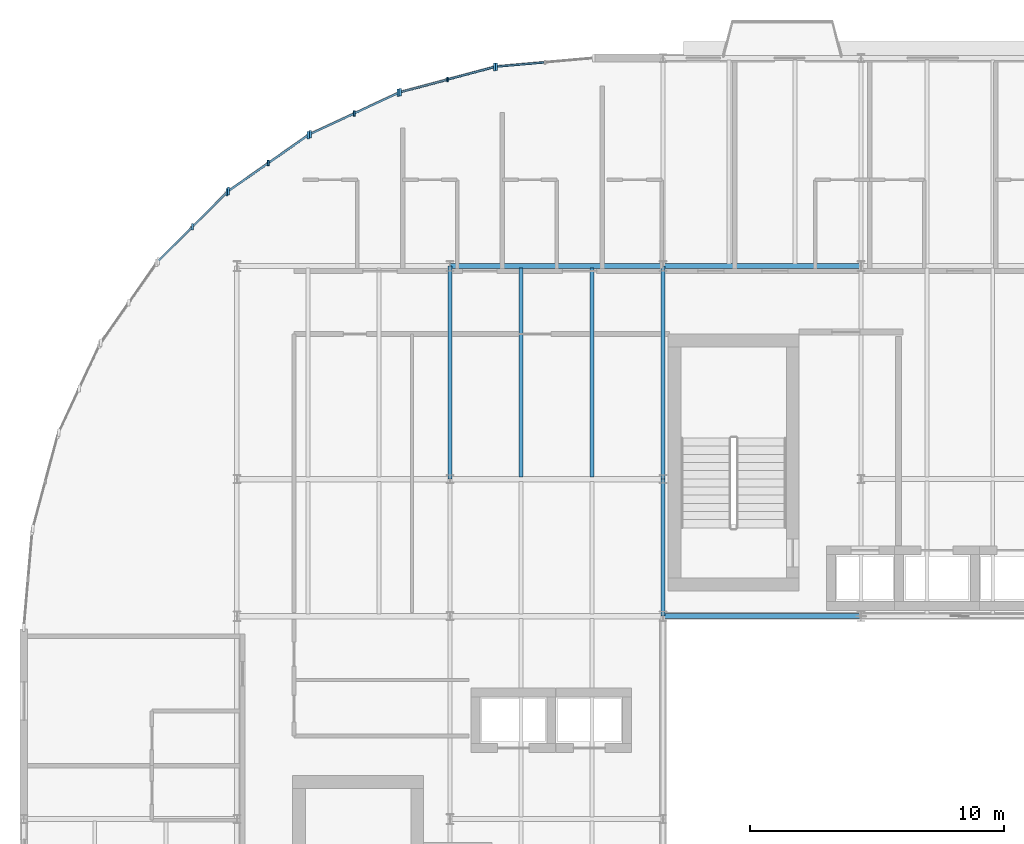
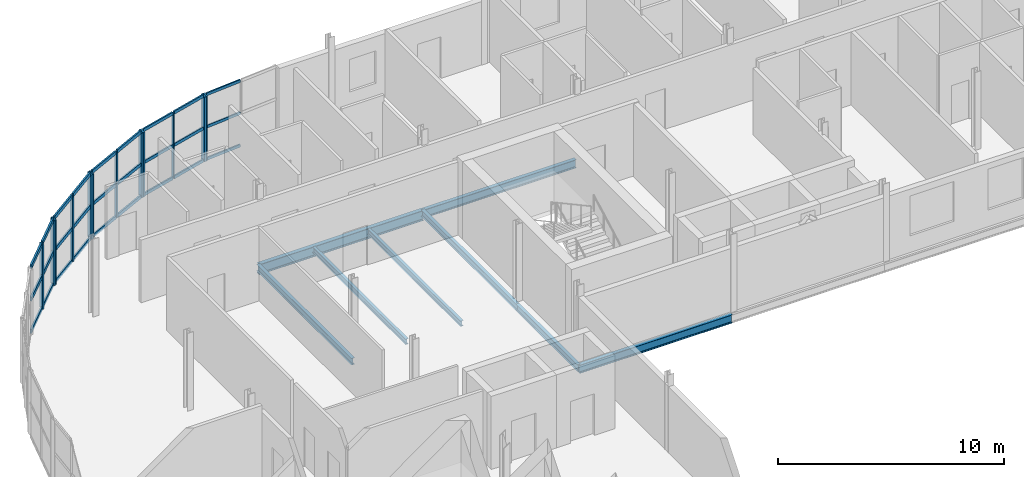
# One storey, part 6 of 22: 39 members, 8 beams, 5 elements without a shape of their own.
"""IFC4 building model written with IfcOpenShell, lengths in metres."""

from ifc_helpers import new_model, si_unit, direction, frame, origin, origin_2d, place, context, subcontext, project, spatial, rectangle, i_section, extrude, material, layer, layer_set, material_profile, profile_set, type_object, element, aggregate, save


model = new_model("IFC4")

# Units and contexts
model_context = context("Model", 3, precision=1e-05, world=origin(), true_north=direction((0.0, 1.0)))
body_context = subcontext(model_context, "Body", "Model", "MODEL_VIEW")
ifc_project = project(units=[si_unit("LENGTHUNIT", "METRE"), si_unit("AREAUNIT", "SQUARE_METRE"), si_unit("VOLUMEUNIT", "CUBIC_METRE"), si_unit("PLANEANGLEUNIT", "RADIAN"), si_unit("MASSUNIT", "GRAM", prefix="KILO")], contexts=[model_context])

# Site, building, storey
site_placement = place(None, origin())
site = spatial("IfcSite", under=ifc_project, at=site_placement, CompositionType="ELEMENT")
building_placement = place(site_placement, origin())
building = spatial("IfcBuilding", under=site, at=building_placement, Name="Sefraquen Railside Congress Hotel", CompositionType="ELEMENT")
storey_placement = place(building_placement, frame((0.0, 0.0, 42.60009765625)))
storey = spatial("IfcBuildingStorey", under=building, at=storey_placement, Name="L10", CompositionType="ELEMENT", Elevation=42.60009765625)

# Beams
ifc_material_1 = material(Name="Steel S355JR", Category="steel")
ifc_material_profile_1 = material_profile(ifc_material_1, i_section(OverallWidth=0.169921875, OverallDepth=0.360107421875, WebThickness=0.008056640625, FlangeThickness=0.0126953125, FilletRadius=0.01806640625, at=origin_2d()), Name="IPE 360")
ifc_profile_set_1 = profile_set([ifc_material_profile_1], Name="Steel S355JR")
beam_type_1 = type_object("IfcBeamType", Name="TB-BM-360", PredefinedType="BEAM", material=ifc_profile_set_1)
beam_1_placement = place(storey_placement, frame((16.800048828125, 101.39990234375, -0.400146484375), z_axis=(0.0, 1.0, 0.0), x_axis=(-1.0, 0.0, 0.0)))
element("IfcBeam", 1, at=beam_1_placement, inside=storey, type_object=beam_type_1, Name="Floor beam BM-L10-2114", PredefinedType="BEAM", context=body_context, shape_type="SweptSolid", body=[
    extrude(i_section(OverallWidth=0.169921875, OverallDepth=0.360107421875, WebThickness=0.008056640625, FlangeThickness=0.0126953125, FilletRadius=0.01806640625, at=origin_2d()), origin(), (0.0, 0.0, 1.0), 8.400146484375),
])
beam_2_placement = place(storey_placement, frame((25.199951171875, 96.0, -0.400146484375), z_axis=(0.0, 1.0, 0.0), x_axis=(-1.0, 0.0, 0.0)))
element("IfcBeam", 2, at=beam_2_placement, inside=storey, type_object=beam_type_1, Name="Floor beam BM-L10-2119", PredefinedType="BEAM", context=body_context, shape_type="SweptSolid", body=[
    extrude(i_section(OverallWidth=0.169921875, OverallDepth=0.360107421875, WebThickness=0.008056640625, FlangeThickness=0.0126953125, FilletRadius=0.01806640625, at=origin_2d()), origin(), (0.0, 0.0, 1.0), 5.39990234375),
])
beam_3_placement = place(storey_placement, frame((25.199951171875, 101.39990234375, -0.400146484375), z_axis=(0.0, 1.0, 0.0), x_axis=(-1.0, 0.0, 0.0)))
element("IfcBeam", 3, at=beam_3_placement, inside=storey, type_object=beam_type_1, Name="Floor beam BM-L10-2120", PredefinedType="BEAM", context=body_context, shape_type="SweptSolid", body=[
    extrude(i_section(OverallWidth=0.169921875, OverallDepth=0.360107421875, WebThickness=0.008056640625, FlangeThickness=0.0126953125, FilletRadius=0.01806640625, at=origin_2d()), origin(), (0.0, 0.0, 1.0), 8.400146484375),
])
ifc_material_profile_2 = material_profile(ifc_material_1, i_section(OverallWidth=0.18994140625, OverallDepth=0.449951171875, WebThickness=0.009521484375, FlangeThickness=0.0146484375, FilletRadius=0.02099609375, at=origin_2d()), Name="IPE 450")
ifc_profile_set_2 = profile_set([ifc_material_profile_2], Name="Steel S355JR")
beam_type_2 = type_object("IfcBeamType", Name="TB-BM-450", PredefinedType="BEAM", material=ifc_profile_set_2)
for number, where, z_axis, x_axis, name in (
    (4, (25.199951171875, 96.0, -0.445068359375), (1.0, 0.0, 0.0), (0.0, 1.0, 0.0), "Primary girder BM-L10-2062"),
    (5, (25.199951171875, 109.800048828125, -0.445068359375), (1.0, 0.0, 0.0), (0.0, 1.0, 0.0), "Primary girder BM-L10-2082"),
):
    element("IfcBeam", number, at=place(storey_placement, frame(where, z_axis=z_axis, x_axis=x_axis)), inside=storey, type_object=beam_type_2, Name=name, PredefinedType="BEAM", context=body_context, shape_type="SweptSolid", body=[
        extrude(i_section(OverallWidth=0.18994140625, OverallDepth=0.449951171875, WebThickness=0.009521484375, FlangeThickness=0.0146484375, FilletRadius=0.02099609375, at=origin_2d()), origin(), (0.0, 0.0, 1.0), 7.800048828125),
    ])
ifc_material_profile_3 = material_profile(ifc_material_1, i_section(OverallWidth=0.2099609375, OverallDepth=0.550048828125, WebThickness=0.010986328125, FlangeThickness=0.01708984375, FilletRadius=0.02392578125, at=origin_2d()), Name="IPE 550")
ifc_profile_set_3 = profile_set([ifc_material_profile_3], Name="Steel S355JR")
beam_type_3 = type_object("IfcBeamType", Name="TB-GIR-550", PredefinedType="T_BEAM", material=ifc_profile_set_3)
beam_4_placement = place(storey_placement, frame((16.800048828125, 109.800048828125, -0.4951171875), z_axis=(1.0, 0.0, 0.0), x_axis=(0.0, 1.0, 0.0)))
element("IfcBeam", 6, at=beam_4_placement, inside=storey, type_object=beam_type_3, Name="Primary girder BM-L10-2081", PredefinedType="T_BEAM", context=body_context, shape_type="SweptSolid", body=[
    extrude(i_section(OverallWidth=0.2099609375, OverallDepth=0.550048828125, WebThickness=0.010986328125, FlangeThickness=0.01708984375, FilletRadius=0.02392578125, at=origin_2d()), origin(), (0.0, 0.0, 1.0), 8.39990234375),
])
ifc_material_profile_4 = material_profile(ifc_material_1, i_section(OverallWidth=0.14990234375, OverallDepth=0.300048828125, WebThickness=0.007080078125, FlangeThickness=0.0107421875, FilletRadius=0.014892578125, at=origin_2d()), Name="IPE 300")
ifc_profile_set_4 = profile_set([ifc_material_profile_4], Name="Steel S355JR")
beam_type_4 = type_object("IfcBeamType", Name="TB-JST-300", PredefinedType="JOIST", material=ifc_profile_set_4)
for number, where, z_axis, x_axis, name in (
    (7, (19.60009765625, 101.485107421875, -0.3701171875), (0.0, 1.0, 0.0), (-1.0, 0.0, 0.0), "Composite floor joist BM-L10-J1420"),
    (8, (22.39990234375, 101.485107421875, -0.3701171875), (0.0, 1.0, 0.0), (-1.0, 0.0, 0.0), "Composite floor joist BM-L10-J1421"),
):
    element("IfcBeam", number, at=place(storey_placement, frame(where, z_axis=z_axis, x_axis=x_axis)), inside=storey, type_object=beam_type_4, Name=name, PredefinedType="JOIST", context=body_context, shape_type="SweptSolid", body=[
        extrude(i_section(OverallWidth=0.14990234375, OverallDepth=0.300048828125, WebThickness=0.007080078125, FlangeThickness=0.0107421875, FilletRadius=0.014892578125, at=origin_2d()), origin(), (0.0, 0.0, 1.0), 8.22998046875),
    ])

# Curtain wall, member
ifc_material_2 = material(Name="Thermally broken anodised aluminium and low-E double glazing", Category="aluminium")
ifc_layer_1 = layer(ifc_material_2, 0.199951171875)
ifc_layer_set_1 = layer_set([ifc_layer_1], Name="Thermally broken anodised aluminium and low-E double glazing")
curtain_wall_type_1 = type_object("IfcCurtainWallType", Name="TCW-UCW-28", PredefinedType="USERDEFINED", material=ifc_layer_set_1)
curtain_wall_1_placement = place(storey_placement, origin())
curtain_wall_1 = element("IfcCurtainWall", 9, at=curtain_wall_1_placement, inside=storey, type_object=curtain_wall_type_1, Name="Rotunda L10 curved curtain wall facet 2", ObjectType="UNITISED CURTAIN WALL", PredefinedType="USERDEFINED")
ifc_material_3 = material(Name="Thermally broken anodised aluminium 6063-T6", Category="aluminium")
ifc_material_profile_5 = material_profile(ifc_material_3, rectangle(XDim=0.06494140625, YDim=0.179931640625, at=origin_2d()), Name="CWM 65x180")
ifc_profile_set_5 = profile_set([ifc_material_profile_5], Name="Thermally broken anodised aluminium 6063-T6")
member_type_1 = type_object("IfcMemberType", Name="TM-CWM-02", PredefinedType="MULLION", material=ifc_profile_set_5)
member_1_placement = place(storey_placement, frame((16.69873046875, 117.150634765625, 0.0), z_axis=(0.0, 0.0, 1.0), x_axis=(1.0, 0.0, 0.0)))
member_1 = element("IfcMember", 10, at=member_1_placement, type_object=member_type_1, Name="CW-L10-ROT-02 mullion 2", PredefinedType="MULLION", context=body_context, shape_type="SweptSolid", body=[
    extrude(rectangle(XDim=0.06494140625, YDim=0.179931640625, at=origin_2d()), origin(), (0.0, 0.0, 1.0), 3.489990234375),
])

ifc_layer_2 = layer(ifc_material_2, 0.199951171875)
ifc_layer_set_2 = layer_set([ifc_layer_2], Name="Thermally broken anodised aluminium and low-E double glazing")
curtain_wall_type_2 = type_object("IfcCurtainWallType", Name="TCW-UCW-29", PredefinedType="USERDEFINED", material=ifc_layer_set_2)
curtain_wall_2_placement = place(storey_placement, origin())
curtain_wall_2 = element("IfcCurtainWall", 11, at=curtain_wall_2_placement, inside=storey, type_object=curtain_wall_type_2, Name="Rotunda L10 curved curtain wall facet 3", ObjectType="UNITISED CURTAIN WALL", PredefinedType="USERDEFINED")
ifc_material_profile_6 = material_profile(ifc_material_3, rectangle(XDim=0.070068359375, YDim=0.199951171875, at=origin_2d()), Name="CWM 70x200")
ifc_profile_set_6 = profile_set([ifc_material_profile_6], Name="Thermally broken anodised aluminium 6063-T6")
member_type_2 = type_object("IfcMemberType", Name="TM-CWM-03", PredefinedType="MULLION", material=ifc_profile_set_6)
member_2_placement = place(storey_placement, frame((13.02734375, 115.814208984375, 0.0), z_axis=(0.0, 0.0, 1.0), x_axis=(1.0, 0.0, 0.0)))
member_2 = element("IfcMember", 12, at=member_2_placement, type_object=member_type_2, Name="CW-L10-ROT-03 mullion 2", PredefinedType="MULLION", context=body_context, shape_type="SweptSolid", body=[
    extrude(rectangle(XDim=0.070068359375, YDim=0.199951171875, at=origin_2d()), origin(), (0.0, 0.0, 1.0), 3.489990234375),
])

ifc_layer_3 = layer(ifc_material_2, 0.199951171875)
ifc_layer_set_3 = layer_set([ifc_layer_3], Name="Thermally broken anodised aluminium and low-E double glazing")
curtain_wall_type_3 = type_object("IfcCurtainWallType", Name="TCW-UCW-30", PredefinedType="USERDEFINED", material=ifc_layer_set_3)
curtain_wall_3_placement = place(storey_placement, origin())
curtain_wall_3 = element("IfcCurtainWall", 13, at=curtain_wall_3_placement, inside=storey, type_object=curtain_wall_type_3, Name="Rotunda L10 curved curtain wall facet 4", ObjectType="UNITISED CURTAIN WALL", PredefinedType="USERDEFINED")
ifc_material_profile_7 = material_profile(ifc_material_3, rectangle(XDim=0.074951171875, YDim=0.219970703125, at=origin_2d()), Name="CWM 75x220")
ifc_profile_set_7 = profile_set([ifc_material_profile_7], Name="Thermally broken anodised aluminium 6063-T6")
member_type_3 = type_object("IfcMemberType", Name="TM-CWM-04", PredefinedType="MULLION", material=ifc_profile_set_7)
member_3_placement = place(storey_placement, frame((9.643798828125, 113.86083984375, 0.0), z_axis=(0.0, 0.0, 1.0), x_axis=(1.0, 0.0, 0.0)))
member_3 = element("IfcMember", 14, at=member_3_placement, type_object=member_type_3, Name="CW-L10-ROT-04 mullion 2", PredefinedType="MULLION", context=body_context, shape_type="SweptSolid", body=[
    extrude(rectangle(XDim=0.074951171875, YDim=0.219970703125, at=origin_2d()), origin(), (0.0, 0.0, 1.0), 3.489990234375),
])

ifc_layer_4 = layer(ifc_material_2, 0.199951171875)
ifc_layer_set_4 = layer_set([ifc_layer_4], Name="Thermally broken anodised aluminium and low-E double glazing")
curtain_wall_type_4 = type_object("IfcCurtainWallType", Name="TCW-UCW-31", PredefinedType="USERDEFINED", material=ifc_layer_set_4)
curtain_wall_4_placement = place(storey_placement, origin())
curtain_wall_4 = element("IfcCurtainWall", 15, at=curtain_wall_4_placement, inside=storey, type_object=curtain_wall_type_4, Name="Rotunda L10 curved curtain wall facet 5", ObjectType="UNITISED CURTAIN WALL", PredefinedType="USERDEFINED")
ifc_material_profile_8 = material_profile(ifc_material_3, rectangle(XDim=0.080078125, YDim=0.239990234375, at=origin_2d()), Name="CWM 80x240")
ifc_profile_set_8 = profile_set([ifc_material_profile_8], Name="Thermally broken anodised aluminium 6063-T6")
member_type_4 = type_object("IfcMemberType", Name="TM-CWM-05", PredefinedType="MULLION", material=ifc_profile_set_8)
member_4_placement = place(storey_placement, frame((6.650634765625, 111.349365234375, 0.0), z_axis=(0.0, 0.0, 1.0), x_axis=(1.0, 0.0, 0.0)))
member_4 = element("IfcMember", 16, at=member_4_placement, type_object=member_type_4, Name="CW-L10-ROT-05 mullion 2", PredefinedType="MULLION", context=body_context, shape_type="SweptSolid", body=[
    extrude(rectangle(XDim=0.080078125, YDim=0.239990234375, at=origin_2d()), origin(), (0.0, 0.0, 1.0), 3.489990234375),
])

ifc_layer_5 = layer(ifc_material_2, 0.199951171875)
ifc_layer_set_5 = layer_set([ifc_layer_5], Name="Thermally broken anodised aluminium and low-E double glazing")
curtain_wall_type_5 = type_object("IfcCurtainWallType", Name="TCW-UCW-27", PredefinedType="USERDEFINED", material=ifc_layer_set_5)
curtain_wall_5_placement = place(storey_placement, origin())
curtain_wall_5 = element("IfcCurtainWall", 17, at=curtain_wall_5_placement, inside=storey, type_object=curtain_wall_type_5, Name="Rotunda L10 curved curtain wall facet 1", ObjectType="UNITISED CURTAIN WALL", PredefinedType="USERDEFINED")
ifc_material_profile_9 = material_profile(ifc_material_3, rectangle(XDim=0.094970703125, YDim=0.300048828125, at=origin_2d()), Name="CWM 95x300")
ifc_profile_set_9 = profile_set([ifc_material_profile_9], Name="Thermally broken anodised aluminium 6063-T6")
member_type_5 = type_object("IfcMemberType", Name="TM-CWM-08", PredefinedType="MULLION", material=ifc_profile_set_9)
member_5_placement = place(storey_placement, frame((18.6328125, 117.66162109375, 0.0), z_axis=(0.0, 0.0, 1.0), x_axis=(1.0, 0.0, 0.0)))
member_5 = element("IfcMember", 18, at=member_5_placement, type_object=member_type_5, Name="CW-L10-ROT-01 mullion 3", PredefinedType="MULLION", context=body_context, shape_type="SweptSolid", body=[
    extrude(rectangle(XDim=0.094970703125, YDim=0.300048828125, at=origin_2d()), origin(), (0.0, 0.0, 1.0), 3.489990234375),
])

# Member
member_6_placement = place(storey_placement, frame((18.55419921875, 117.647705078125, 0.0), z_axis=(0.0, 0.0, 1.0), x_axis=(1.0, 0.0, 0.0)))
member_6 = element("IfcMember", 19, at=member_6_placement, type_object=member_type_5, Name="CW-L10-ROT-02 mullion 1", PredefinedType="MULLION", context=body_context, shape_type="SweptSolid", body=[
    extrude(rectangle(XDim=0.094970703125, YDim=0.300048828125, at=origin_2d()), origin(), (0.0, 0.0, 1.0), 3.489990234375),
])

member_7_placement = place(storey_placement, frame((14.843017578125, 116.653564453125, 0.0), z_axis=(0.0, 0.0, 1.0), x_axis=(1.0, 0.0, 0.0)))
member_7 = element("IfcMember", 20, at=member_7_placement, type_object=member_type_5, Name="CW-L10-ROT-02 mullion 3", PredefinedType="MULLION", context=body_context, shape_type="SweptSolid", body=[
    extrude(rectangle(XDim=0.094970703125, YDim=0.300048828125, at=origin_2d()), origin(), (0.0, 0.0, 1.0), 3.489990234375),
])

member_8_placement = place(storey_placement, frame((14.768310546875, 116.626220703125, 0.0), z_axis=(0.0, 0.0, 1.0), x_axis=(1.0, 0.0, 0.0)))
member_8 = element("IfcMember", 21, at=member_8_placement, type_object=member_type_5, Name="CW-L10-ROT-03 mullion 1", PredefinedType="MULLION", context=body_context, shape_type="SweptSolid", body=[
    extrude(rectangle(XDim=0.094970703125, YDim=0.300048828125, at=origin_2d()), origin(), (0.0, 0.0, 1.0), 3.489990234375),
])

member_9_placement = place(storey_placement, frame((11.286376953125, 115.00244140625, 0.0), z_axis=(0.0, 0.0, 1.0), x_axis=(1.0, 0.0, 0.0)))
member_9 = element("IfcMember", 22, at=member_9_placement, type_object=member_type_5, Name="CW-L10-ROT-03 mullion 3", PredefinedType="MULLION", context=body_context, shape_type="SweptSolid", body=[
    extrude(rectangle(XDim=0.094970703125, YDim=0.300048828125, at=origin_2d()), origin(), (0.0, 0.0, 1.0), 3.489990234375),
])

member_10_placement = place(storey_placement, frame((11.21728515625, 114.962646484375, 0.0), z_axis=(0.0, 0.0, 1.0), x_axis=(1.0, 0.0, 0.0)))
member_10 = element("IfcMember", 23, at=member_10_placement, type_object=member_type_5, Name="CW-L10-ROT-04 mullion 1", PredefinedType="MULLION", context=body_context, shape_type="SweptSolid", body=[
    extrude(rectangle(XDim=0.094970703125, YDim=0.300048828125, at=origin_2d()), origin(), (0.0, 0.0, 1.0), 3.489990234375),
])

member_11_placement = place(storey_placement, frame((8.070068359375, 112.7587890625, 0.0), z_axis=(0.0, 0.0, 1.0), x_axis=(1.0, 0.0, 0.0)))
member_11 = element("IfcMember", 24, at=member_11_placement, type_object=member_type_5, Name="CW-L10-ROT-04 mullion 3", PredefinedType="MULLION", context=body_context, shape_type="SweptSolid", body=[
    extrude(rectangle(XDim=0.094970703125, YDim=0.300048828125, at=origin_2d()), origin(), (0.0, 0.0, 1.0), 3.489990234375),
])

member_12_placement = place(storey_placement, frame((8.009033203125, 112.707763671875, 0.0), z_axis=(0.0, 0.0, 1.0), x_axis=(1.0, 0.0, 0.0)))
member_12 = element("IfcMember", 25, at=member_12_placement, type_object=member_type_5, Name="CW-L10-ROT-05 mullion 1", PredefinedType="MULLION", context=body_context, shape_type="SweptSolid", body=[
    extrude(rectangle(XDim=0.094970703125, YDim=0.300048828125, at=origin_2d()), origin(), (0.0, 0.0, 1.0), 3.489990234375),
])

ifc_material_profile_10 = material_profile(ifc_material_3, rectangle(XDim=0.070068359375, YDim=0.14990234375, at=origin_2d()), Name="CWT 70x150")
ifc_profile_set_10 = profile_set([ifc_material_profile_10], Name="Thermally broken anodised aluminium 6063-T6")
member_type_6 = type_object("IfcMemberType", Name="TM-CWT-03", PredefinedType="USERDEFINED", material=ifc_profile_set_10)
member_13_placement = place(storey_placement, frame((20.501708984375, 117.8251953125, 0.0), z_axis=(-0.996191401715, -0.087193412302, 0.0), x_axis=(0.087193412302, -0.996191401715, 0.0)))
member_13 = element("IfcMember", 26, at=member_13_placement, type_object=member_type_6, Name="CW-L10-ROT-01 transom 1.2", ObjectType="TRANSOM", PredefinedType="USERDEFINED", context=body_context, shape_type="SweptSolid", body=[
    extrude(rectangle(XDim=0.070068359375, YDim=0.14990234375, at=origin_2d()), origin(), (0.0, 0.0, 1.0), 1.831298828125),
])

member_14_placement = place(storey_placement, frame((20.501708984375, 117.8251953125, 1.744873046875), z_axis=(-0.996191401715, -0.087193412302, 0.0), x_axis=(0.087193412302, -0.996191401715, 0.0)))
member_14 = element("IfcMember", 27, at=member_14_placement, type_object=member_type_6, Name="CW-L10-ROT-01 transom 2.2", ObjectType="TRANSOM", PredefinedType="USERDEFINED", context=body_context, shape_type="SweptSolid", body=[
    extrude(rectangle(XDim=0.070068359375, YDim=0.14990234375, at=origin_2d()), origin(), (0.0, 0.0, 1.0), 1.831298828125),
])

member_15_placement = place(storey_placement, frame((20.501708984375, 117.8251953125, 3.489990234375), z_axis=(-0.996191401715, -0.087193412302, 0.0), x_axis=(0.087193412302, -0.996191401715, 0.0)))
member_15 = element("IfcMember", 28, at=member_15_placement, type_object=member_type_6, Name="CW-L10-ROT-01 transom 3.2", ObjectType="TRANSOM", PredefinedType="USERDEFINED", context=body_context, shape_type="SweptSolid", body=[
    extrude(rectangle(XDim=0.070068359375, YDim=0.14990234375, at=origin_2d()), origin(), (0.0, 0.0, 1.0), 1.831298828125),
])

aggregate(curtain_wall_5, [member_5, member_13, member_14, member_15])

ifc_material_profile_11 = material_profile(ifc_material_3, rectangle(XDim=0.074951171875, YDim=0.1650390625, at=origin_2d()), Name="CWT 75x165")
ifc_profile_set_11 = profile_set([ifc_material_profile_11], Name="Thermally broken anodised aluminium 6063-T6")
member_type_7 = type_object("IfcMemberType", Name="TM-CWT-04", PredefinedType="USERDEFINED", material=ifc_profile_set_11)
member_16_placement = place(storey_placement, frame((18.5107421875, 117.63623046875, 0.0), z_axis=(-0.965893282759, -0.25894046868, 0.0), x_axis=(0.25894046868, -0.965893282759, 0.0)))
member_16 = element("IfcMember", 29, at=member_16_placement, type_object=member_type_7, Name="CW-L10-ROT-02 transom 1.1", ObjectType="TRANSOM", PredefinedType="USERDEFINED", context=body_context, shape_type="SweptSolid", body=[
    extrude(rectangle(XDim=0.074951171875, YDim=0.1650390625, at=origin_2d()), origin(), (0.0, 0.0, 1.0), 1.8310546875),
])

member_17_placement = place(storey_placement, frame((16.6552734375, 117.138916015625, 0.0), z_axis=(-0.965926624666, -0.258816065499, 0.0), x_axis=(0.258816065499, -0.965926624666, 0.0)))
member_17 = element("IfcMember", 30, at=member_17_placement, type_object=member_type_7, Name="CW-L10-ROT-02 transom 1.2", ObjectType="TRANSOM", PredefinedType="USERDEFINED", context=body_context, shape_type="SweptSolid", body=[
    extrude(rectangle(XDim=0.074951171875, YDim=0.1650390625, at=origin_2d()), origin(), (0.0, 0.0, 1.0), 1.8310546875),
])

member_18_placement = place(storey_placement, frame((18.5107421875, 117.63623046875, 1.744873046875), z_axis=(-0.965893282759, -0.25894046868, 0.0), x_axis=(0.25894046868, -0.965893282759, 0.0)))
member_18 = element("IfcMember", 31, at=member_18_placement, type_object=member_type_7, Name="CW-L10-ROT-02 transom 2.1", ObjectType="TRANSOM", PredefinedType="USERDEFINED", context=body_context, shape_type="SweptSolid", body=[
    extrude(rectangle(XDim=0.074951171875, YDim=0.1650390625, at=origin_2d()), origin(), (0.0, 0.0, 1.0), 1.8310546875),
])

member_19_placement = place(storey_placement, frame((16.6552734375, 117.138916015625, 1.744873046875), z_axis=(-0.965926624666, -0.258816065499, 0.0), x_axis=(0.258816065499, -0.965926624666, 0.0)))
member_19 = element("IfcMember", 32, at=member_19_placement, type_object=member_type_7, Name="CW-L10-ROT-02 transom 2.2", ObjectType="TRANSOM", PredefinedType="USERDEFINED", context=body_context, shape_type="SweptSolid", body=[
    extrude(rectangle(XDim=0.074951171875, YDim=0.1650390625, at=origin_2d()), origin(), (0.0, 0.0, 1.0), 1.8310546875),
])

member_20_placement = place(storey_placement, frame((18.5107421875, 117.63623046875, 3.489990234375), z_axis=(-0.965893282759, -0.25894046868, 0.0), x_axis=(0.25894046868, -0.965893282759, 0.0)))
member_20 = element("IfcMember", 33, at=member_20_placement, type_object=member_type_7, Name="CW-L10-ROT-02 transom 3.1", ObjectType="TRANSOM", PredefinedType="USERDEFINED", context=body_context, shape_type="SweptSolid", body=[
    extrude(rectangle(XDim=0.074951171875, YDim=0.1650390625, at=origin_2d()), origin(), (0.0, 0.0, 1.0), 1.8310546875),
])

member_21_placement = place(storey_placement, frame((16.6552734375, 117.138916015625, 3.489990234375), z_axis=(-0.965926624666, -0.258816065499, 0.0), x_axis=(0.258816065499, -0.965926624666, 0.0)))
member_21 = element("IfcMember", 34, at=member_21_placement, type_object=member_type_7, Name="CW-L10-ROT-02 transom 3.2", ObjectType="TRANSOM", PredefinedType="USERDEFINED", context=body_context, shape_type="SweptSolid", body=[
    extrude(rectangle(XDim=0.074951171875, YDim=0.1650390625, at=origin_2d()), origin(), (0.0, 0.0, 1.0), 1.8310546875),
])

aggregate(curtain_wall_1, [member_6, member_1, member_7, member_16, member_17, member_18, member_19, member_20, member_21])

ifc_material_profile_12 = material_profile(ifc_material_3, rectangle(XDim=0.080078125, YDim=0.179931640625, at=origin_2d()), Name="CWT 80x180")
ifc_profile_set_12 = profile_set([ifc_material_profile_12], Name="Thermally broken anodised aluminium 6063-T6")
member_type_8 = type_object("IfcMemberType", Name="TM-CWT-05", PredefinedType="USERDEFINED", material=ifc_profile_set_12)
member_22_placement = place(storey_placement, frame((14.727294921875, 116.607177734375, 0.0), z_axis=(-0.906309158253, -0.422615321145, 0.0), x_axis=(0.422615321145, -0.906309158253, 0.0)))
member_22 = element("IfcMember", 35, at=member_22_placement, type_object=member_type_8, Name="CW-L10-ROT-03 transom 1.1", ObjectType="TRANSOM", PredefinedType="USERDEFINED", context=body_context, shape_type="SweptSolid", body=[
    extrude(rectangle(XDim=0.080078125, YDim=0.179931640625, at=origin_2d()), origin(), (0.0, 0.0, 1.0), 1.830810546875),
])

member_23_placement = place(storey_placement, frame((12.986572265625, 115.79541015625, 0.0), z_axis=(-0.906281900386, -0.422673771403, 0.0), x_axis=(0.422673771403, -0.906281900386, 0.0)))
member_23 = element("IfcMember", 36, at=member_23_placement, type_object=member_type_8, Name="CW-L10-ROT-03 transom 1.2", ObjectType="TRANSOM", PredefinedType="USERDEFINED", context=body_context, shape_type="SweptSolid", body=[
    extrude(rectangle(XDim=0.080078125, YDim=0.179931640625, at=origin_2d()), origin(), (0.0, 0.0, 1.0), 1.8310546875),
])

member_24_placement = place(storey_placement, frame((14.727294921875, 116.607177734375, 1.744873046875), z_axis=(-0.906309158253, -0.422615321145, 0.0), x_axis=(0.422615321145, -0.906309158253, 0.0)))
member_24 = element("IfcMember", 37, at=member_24_placement, type_object=member_type_8, Name="CW-L10-ROT-03 transom 2.1", ObjectType="TRANSOM", PredefinedType="USERDEFINED", context=body_context, shape_type="SweptSolid", body=[
    extrude(rectangle(XDim=0.080078125, YDim=0.179931640625, at=origin_2d()), origin(), (0.0, 0.0, 1.0), 1.830810546875),
])

member_25_placement = place(storey_placement, frame((12.986572265625, 115.79541015625, 1.744873046875), z_axis=(-0.906281900386, -0.422673771403, 0.0), x_axis=(0.422673771403, -0.906281900386, 0.0)))
member_25 = element("IfcMember", 38, at=member_25_placement, type_object=member_type_8, Name="CW-L10-ROT-03 transom 2.2", ObjectType="TRANSOM", PredefinedType="USERDEFINED", context=body_context, shape_type="SweptSolid", body=[
    extrude(rectangle(XDim=0.080078125, YDim=0.179931640625, at=origin_2d()), origin(), (0.0, 0.0, 1.0), 1.8310546875),
])

member_26_placement = place(storey_placement, frame((14.727294921875, 116.607177734375, 3.489990234375), z_axis=(-0.906309158253, -0.422615321145, 0.0), x_axis=(0.422615321145, -0.906309158253, 0.0)))
member_26 = element("IfcMember", 39, at=member_26_placement, type_object=member_type_8, Name="CW-L10-ROT-03 transom 3.1", ObjectType="TRANSOM", PredefinedType="USERDEFINED", context=body_context, shape_type="SweptSolid", body=[
    extrude(rectangle(XDim=0.080078125, YDim=0.179931640625, at=origin_2d()), origin(), (0.0, 0.0, 1.0), 1.830810546875),
])

member_27_placement = place(storey_placement, frame((12.986572265625, 115.79541015625, 3.489990234375), z_axis=(-0.906281900386, -0.422673771403, 0.0), x_axis=(0.422673771403, -0.906281900386, 0.0)))
member_27 = element("IfcMember", 40, at=member_27_placement, type_object=member_type_8, Name="CW-L10-ROT-03 transom 3.2", ObjectType="TRANSOM", PredefinedType="USERDEFINED", context=body_context, shape_type="SweptSolid", body=[
    extrude(rectangle(XDim=0.080078125, YDim=0.179931640625, at=origin_2d()), origin(), (0.0, 0.0, 1.0), 1.8310546875),
])

aggregate(curtain_wall_2, [member_8, member_2, member_9, member_22, member_23, member_24, member_25, member_26, member_27])

ifc_material_profile_13 = material_profile(ifc_material_3, rectangle(XDim=0.0849609375, YDim=0.195068359375, at=origin_2d()), Name="CWT 85x195")
ifc_profile_set_13 = profile_set([ifc_material_profile_13], Name="Thermally broken anodised aluminium 6063-T6")
member_type_9 = type_object("IfcMemberType", Name="TM-CWT-06", PredefinedType="USERDEFINED", material=ifc_profile_set_13)
member_28_placement = place(storey_placement, frame((11.180419921875, 114.93701171875, 0.0), z_axis=(-0.819156749665, -0.573569716318, 0.0), x_axis=(0.573569716318, -0.819156749665, 0.0)))
member_28 = element("IfcMember", 41, at=member_28_placement, type_object=member_type_9, Name="CW-L10-ROT-04 transom 1.1", ObjectType="TRANSOM", PredefinedType="USERDEFINED", context=body_context, shape_type="SweptSolid", body=[
    extrude(rectangle(XDim=0.0849609375, YDim=0.195068359375, at=origin_2d()), origin(), (0.0, 0.0, 1.0), 1.8310546875),
])

member_29_placement = place(storey_placement, frame((9.606689453125, 113.8349609375, 0.0), z_axis=(-0.819175533227, -0.573542889209, 0.0), x_axis=(0.573542889209, -0.819175533227, 0.0)))
member_29 = element("IfcMember", 42, at=member_29_placement, type_object=member_type_9, Name="CW-L10-ROT-04 transom 1.2", ObjectType="TRANSOM", PredefinedType="USERDEFINED", context=body_context, shape_type="SweptSolid", body=[
    extrude(rectangle(XDim=0.0849609375, YDim=0.195068359375, at=origin_2d()), origin(), (0.0, 0.0, 1.0), 1.830810546875),
])

member_30_placement = place(storey_placement, frame((11.180419921875, 114.93701171875, 1.744873046875), z_axis=(-0.819156749665, -0.573569716318, 0.0), x_axis=(0.573569716318, -0.819156749665, 0.0)))
member_30 = element("IfcMember", 43, at=member_30_placement, type_object=member_type_9, Name="CW-L10-ROT-04 transom 2.1", ObjectType="TRANSOM", PredefinedType="USERDEFINED", context=body_context, shape_type="SweptSolid", body=[
    extrude(rectangle(XDim=0.0849609375, YDim=0.195068359375, at=origin_2d()), origin(), (0.0, 0.0, 1.0), 1.8310546875),
])

member_31_placement = place(storey_placement, frame((9.606689453125, 113.8349609375, 1.744873046875), z_axis=(-0.819175533227, -0.573542889209, 0.0), x_axis=(0.573542889209, -0.819175533227, 0.0)))
member_31 = element("IfcMember", 44, at=member_31_placement, type_object=member_type_9, Name="CW-L10-ROT-04 transom 2.2", ObjectType="TRANSOM", PredefinedType="USERDEFINED", context=body_context, shape_type="SweptSolid", body=[
    extrude(rectangle(XDim=0.0849609375, YDim=0.195068359375, at=origin_2d()), origin(), (0.0, 0.0, 1.0), 1.830810546875),
])

member_32_placement = place(storey_placement, frame((11.180419921875, 114.93701171875, 3.489990234375), z_axis=(-0.819156749665, -0.573569716318, 0.0), x_axis=(0.573569716318, -0.819156749665, 0.0)))
member_32 = element("IfcMember", 45, at=member_32_placement, type_object=member_type_9, Name="CW-L10-ROT-04 transom 3.1", ObjectType="TRANSOM", PredefinedType="USERDEFINED", context=body_context, shape_type="SweptSolid", body=[
    extrude(rectangle(XDim=0.0849609375, YDim=0.195068359375, at=origin_2d()), origin(), (0.0, 0.0, 1.0), 1.8310546875),
])

member_33_placement = place(storey_placement, frame((9.606689453125, 113.8349609375, 3.489990234375), z_axis=(-0.819175533227, -0.573542889209, 0.0), x_axis=(0.573542889209, -0.819175533227, 0.0)))
member_33 = element("IfcMember", 46, at=member_33_placement, type_object=member_type_9, Name="CW-L10-ROT-04 transom 3.2", ObjectType="TRANSOM", PredefinedType="USERDEFINED", context=body_context, shape_type="SweptSolid", body=[
    extrude(rectangle(XDim=0.0849609375, YDim=0.195068359375, at=origin_2d()), origin(), (0.0, 0.0, 1.0), 1.830810546875),
])

aggregate(curtain_wall_3, [member_10, member_3, member_11, member_28, member_29, member_30, member_31, member_32, member_33])

ifc_material_profile_14 = material_profile(ifc_material_3, rectangle(XDim=0.090087890625, YDim=0.2099609375, at=origin_2d()), Name="CWT 90x210")
ifc_profile_set_14 = profile_set([ifc_material_profile_14], Name="Thermally broken anodised aluminium 6063-T6")
member_type_10 = type_object("IfcMemberType", Name="TM-CWT-07", PredefinedType="USERDEFINED", material=ifc_profile_set_14)
member_34_placement = place(storey_placement, frame((7.977294921875, 112.67578125, 0.0), z_axis=(-0.707106781187, -0.707106781187, 0.0), x_axis=(0.707106781187, -0.707106781187, 0.0)))
member_34 = element("IfcMember", 47, at=member_34_placement, type_object=member_type_10, Name="CW-L10-ROT-05 transom 1.1", ObjectType="TRANSOM", PredefinedType="USERDEFINED", context=body_context, shape_type="SweptSolid", body=[
    extrude(rectangle(XDim=0.090087890625, YDim=0.2099609375, at=origin_2d()), origin(), (0.0, 0.0, 1.0), 1.8310546875),
])

member_35_placement = place(storey_placement, frame((6.618896484375, 111.3173828125, 0.0), z_axis=(-0.707106781187, -0.707106781187, 0.0), x_axis=(0.707106781187, -0.707106781187, 0.0)))
member_35 = element("IfcMember", 48, at=member_35_placement, type_object=member_type_10, Name="CW-L10-ROT-05 transom 1.2", ObjectType="TRANSOM", PredefinedType="USERDEFINED", context=body_context, shape_type="SweptSolid", body=[
    extrude(rectangle(XDim=0.090087890625, YDim=0.2099609375, at=origin_2d()), origin(), (0.0, 0.0, 1.0), 1.8310546875),
])

member_36_placement = place(storey_placement, frame((7.977294921875, 112.67578125, 1.744873046875), z_axis=(-0.707106781187, -0.707106781187, 0.0), x_axis=(0.707106781187, -0.707106781187, 0.0)))
member_36 = element("IfcMember", 49, at=member_36_placement, type_object=member_type_10, Name="CW-L10-ROT-05 transom 2.1", ObjectType="TRANSOM", PredefinedType="USERDEFINED", context=body_context, shape_type="SweptSolid", body=[
    extrude(rectangle(XDim=0.090087890625, YDim=0.2099609375, at=origin_2d()), origin(), (0.0, 0.0, 1.0), 1.8310546875),
])

member_37_placement = place(storey_placement, frame((6.618896484375, 111.3173828125, 1.744873046875), z_axis=(-0.707106781187, -0.707106781187, 0.0), x_axis=(0.707106781187, -0.707106781187, 0.0)))
member_37 = element("IfcMember", 50, at=member_37_placement, type_object=member_type_10, Name="CW-L10-ROT-05 transom 2.2", ObjectType="TRANSOM", PredefinedType="USERDEFINED", context=body_context, shape_type="SweptSolid", body=[
    extrude(rectangle(XDim=0.090087890625, YDim=0.2099609375, at=origin_2d()), origin(), (0.0, 0.0, 1.0), 1.8310546875),
])

member_38_placement = place(storey_placement, frame((7.977294921875, 112.67578125, 3.489990234375), z_axis=(-0.707106781187, -0.707106781187, 0.0), x_axis=(0.707106781187, -0.707106781187, 0.0)))
member_38 = element("IfcMember", 51, at=member_38_placement, type_object=member_type_10, Name="CW-L10-ROT-05 transom 3.1", ObjectType="TRANSOM", PredefinedType="USERDEFINED", context=body_context, shape_type="SweptSolid", body=[
    extrude(rectangle(XDim=0.090087890625, YDim=0.2099609375, at=origin_2d()), origin(), (0.0, 0.0, 1.0), 1.8310546875),
])

member_39_placement = place(storey_placement, frame((6.618896484375, 111.3173828125, 3.489990234375), z_axis=(-0.707106781187, -0.707106781187, 0.0), x_axis=(0.707106781187, -0.707106781187, 0.0)))
member_39 = element("IfcMember", 52, at=member_39_placement, type_object=member_type_10, Name="CW-L10-ROT-05 transom 3.2", ObjectType="TRANSOM", PredefinedType="USERDEFINED", context=body_context, shape_type="SweptSolid", body=[
    extrude(rectangle(XDim=0.090087890625, YDim=0.2099609375, at=origin_2d()), origin(), (0.0, 0.0, 1.0), 1.8310546875),
])

aggregate(curtain_wall_4, [member_12, member_4, member_34, member_35, member_36, member_37, member_38, member_39])

save(model, "model.ifc")
